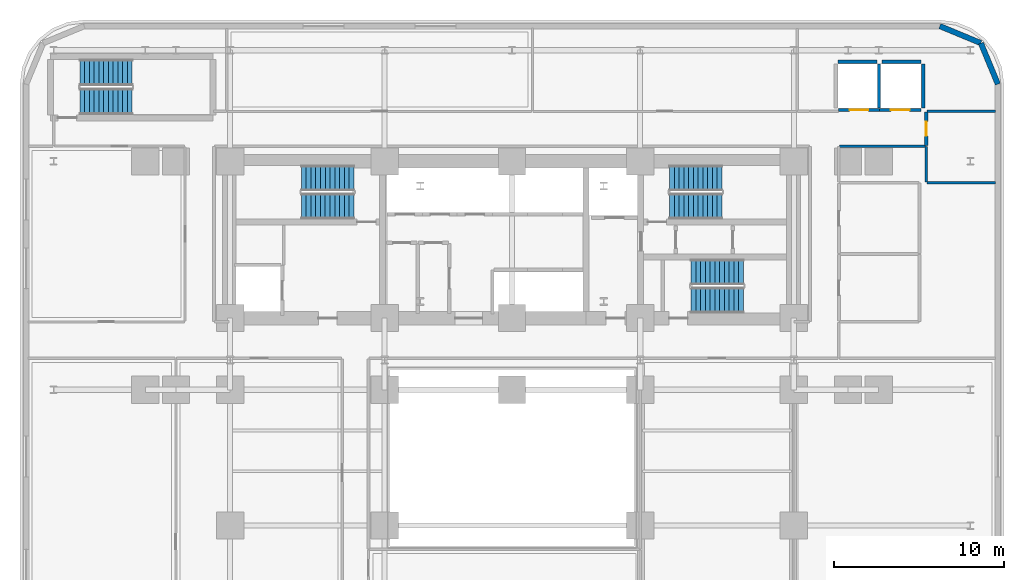
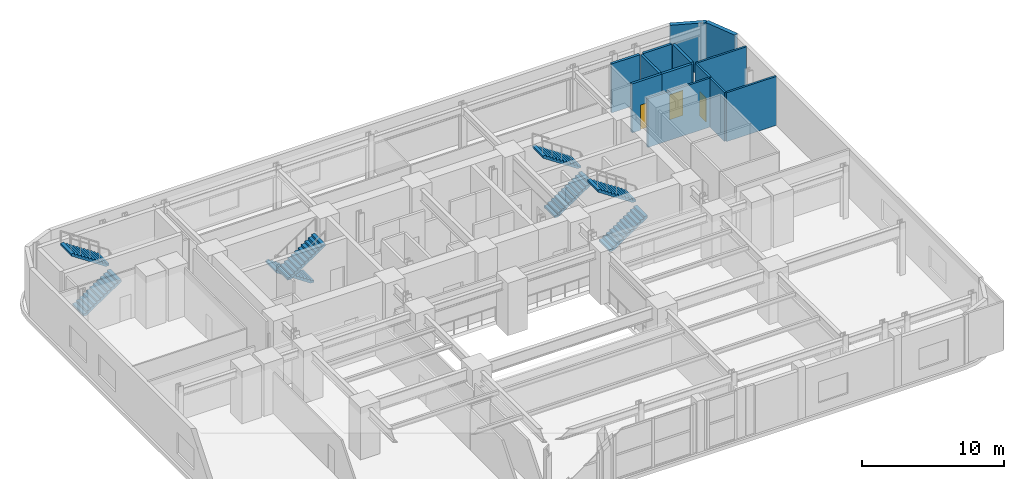
# One storey, part 9 of 14: 13 walls, 8 stair flights, 3 doors, 3 openings, 4 elements without a shape of their own.
"""IFC4 building model written with IfcOpenShell, lengths in metres."""

import ifcopenshell
import ifcopenshell.guid

model = None  # the IFC model being written
_history = None  # IfcOwnerHistory: only IFC2X3 demands one
_inside = {}  # id of a spatial element -> (the spatial element, [elements in it])
_under = {}  # id of a project, library or spatial element -> (it, [spatial elements below it])
_declared = {}  # id of a project -> (the project, [libraries it declares])
_typed = {}  # id of a type object -> (the type object, [elements of that type])
_made_of = {}  # id of a material, layer set ... -> (it, [elements and type objects made of it])


def new_model(schema):
    """Start an empty IFC model of exactly this schema.

    Asked for "IFC4X3", IfcOpenShell would pick the latest addendum, in which some entities
    have other attributes; the version numbers below select the first issue.
    IFC2X3 requires an IfcOwnerHistory on every rooted entity: one is made here for all.
    """
    global model, _history
    if schema == "IFC4X3":
        model = ifcopenshell.file(schema_version=(4, 3, 0, 0))
    else:
        model = ifcopenshell.file(schema=schema)
    _inside.clear()
    _under.clear()
    _declared.clear()
    _typed.clear()
    _made_of.clear()
    _history = None
    if model.schema == "IFC2X3":
        org = make("IfcOrganization", Name="unknown")
        user = make(
            "IfcPersonAndOrganization",
            ThePerson=make("IfcPerson", FamilyName="unknown"),
            TheOrganization=org,
        )
        app = make(
            "IfcApplication",
            ApplicationDeveloper=org,
            Version="unknown",
            ApplicationFullName="unknown",
            ApplicationIdentifier="unknown",
        )
        _history = make(
            "IfcOwnerHistory",
            OwningUser=user,
            OwningApplication=app,
            ChangeAction="ADDED",
            CreationDate=0,
        )
    return model


def make(cls, **values):
    """One entity of the class cls with the attributes given. An attribute that is None is left unset."""
    return model.create_entity(
        cls, **{name: value for name, value in values.items() if value is not None}
    )


def rooted(cls, **values):
    """An entity with a GlobalId (a new one), such as an element, a storey or a relation."""
    return make(cls, GlobalId=ifcopenshell.guid.new(), OwnerHistory=_history, **values)


def si_unit(unit_type, name, prefix=None):
    """IfcSIUnit, for example si_unit("LENGTHUNIT", "METRE", prefix="MILLI")."""
    return make("IfcSIUnit", UnitType=unit_type, Prefix=prefix, Name=name)


def assignment(units):
    """IfcUnitAssignment: the units of a project."""
    return None if units is None else make("IfcUnitAssignment", Units=units)


def point(xyz):
    """IfcCartesianPoint."""
    return None if xyz is None else make("IfcCartesianPoint", Coordinates=xyz)


def direction(xyz):
    """IfcDirection."""
    return None if xyz is None else make("IfcDirection", DirectionRatios=xyz)


def frame(location, z_axis=None, x_axis=None):
    """IfcAxis2Placement3D, a coordinate frame: its origin and axes. An axis left out is left unset."""
    return make(
        "IfcAxis2Placement3D",
        Location=point(location),
        Axis=direction(z_axis),
        RefDirection=direction(x_axis),
    )


def frame_2d(location, x_axis=None):
    """IfcAxis2Placement2D, a coordinate frame in the plane: its origin and x axis."""
    return make(
        "IfcAxis2Placement2D", Location=point(location), RefDirection=direction(x_axis)
    )


def origin():
    """The frame at (0, 0, 0) with its axes left unset."""
    return frame((0.0, 0.0, 0.0))


def place(relative_to, where):
    """IfcLocalPlacement: puts the frame where relative to a parent placement (None: the world)."""
    return make(
        "IfcLocalPlacement", PlacementRelTo=relative_to, RelativePlacement=where
    )


def context(
    kind, dimensions, precision=None, world=None, true_north=None, identifier=None
):
    """IfcGeometricRepresentationContext, for example the 3D "Model" context."""
    return make(
        "IfcGeometricRepresentationContext",
        ContextIdentifier=identifier,
        ContextType=kind,
        CoordinateSpaceDimension=dimensions,
        Precision=precision,
        WorldCoordinateSystem=world,
        TrueNorth=true_north,
    )


def subcontext(parent, identifier, kind, view, scale=None):
    """IfcGeometricRepresentationSubContext, for example "Body" below "Model"."""
    return make(
        "IfcGeometricRepresentationSubContext",
        ContextIdentifier=identifier,
        ContextType=kind,
        ParentContext=parent,
        TargetScale=scale,
        TargetView=view,
    )


def project(units=None, contexts=None):
    """IfcProject with its units and contexts."""
    return rooted(
        "IfcProject",
        Name="project",
        RepresentationContexts=contexts,
        UnitsInContext=assignment(units),
    )


def spatial(cls, under=None, at=None, **own):
    """A site, building, storey or space (cls), placed at a placement, below another one or the project."""
    s = rooted(cls, ObjectPlacement=at, **own)
    if under is not None:
        _under.setdefault(under.id(), (under, []))[1].append(s)
    return s


def polyline(points):
    """IfcPolyline through the points."""
    return make("IfcPolyline", Points=[point(p) for p in points])


def profile(cls, at=None, kind="AREA", **sizes):
    """A parametric profile (cls). Its sizes go by their IFC names, for example OverallWidth=200.0."""
    return make(cls, ProfileType=kind, Position=at, **sizes)


def rectangle(**sizes):
    """IfcRectangleProfileDef."""
    return profile("IfcRectangleProfileDef", **sizes)


def outline(outer, holes=None, kind="AREA"):
    """IfcArbitraryClosedProfileDef: a profile drawn as a closed curve; with holes, ...WithVoids."""
    if holes is None:
        return make("IfcArbitraryClosedProfileDef", ProfileType=kind, OuterCurve=outer)
    return make(
        "IfcArbitraryProfileDefWithVoids",
        ProfileType=kind,
        OuterCurve=outer,
        InnerCurves=holes,
    )


def extrude(swept, where, along, depth):
    """IfcExtrudedAreaSolid: the profile swept, set in the frame where, extruded along a direction by depth."""
    return make(
        "IfcExtrudedAreaSolid",
        SweptArea=swept,
        Position=where,
        ExtrudedDirection=direction(along),
        Depth=depth,
    )


def shape(context_of_items, identifier, shape_type, items):
    """IfcShapeRepresentation: the items that make up one representation, for example the "Body"."""
    return make(
        "IfcShapeRepresentation",
        ContextOfItems=context_of_items,
        RepresentationIdentifier=identifier,
        RepresentationType=shape_type,
        Items=items,
    )


def material(Name=None, Category=None):
    """IfcMaterial."""
    return make("IfcMaterial", Name=Name, Category=Category)


def layer(
    of_material, thickness, ventilated=None, Name=None, Category=None, Priority=None
):
    """IfcMaterialLayer: one layer of a wall or slab, of a material (None: an air gap)."""
    return make(
        "IfcMaterialLayer",
        Material=of_material,
        LayerThickness=thickness,
        IsVentilated=ventilated,
        Name=Name,
        Category=Category,
        Priority=Priority,
    )


def layer_set(layers, Name=None):
    """IfcMaterialLayerSet."""
    return make("IfcMaterialLayerSet", MaterialLayers=layers, LayerSetName=Name)


def made_of(thing, what):
    """Note that an element or type object is made of a material, layer set ...; save() writes the relation."""
    if what is not None:
        _made_of.setdefault(what.id(), (what, []))[1].append(thing)
    return thing


def type_object(cls, material=None, **own):
    """A type object (cls), such as IfcWallType, which elements share."""
    return made_of(rooted(cls, **own), material)


def element(
    cls,
    number,
    at=None,
    inside=None,
    cuts=None,
    type_object=None,
    material=None,
    context=None,
    identifier="Body",
    shape_type=None,
    held_by="IfcProductDefinitionShape",
    body=None,
    shapes=None,
    **own,
):
    """One element of the class cls, such as IfcWall. Its Tag is "e" and its number.

    at: its placement. inside: the storey or other place that contains it. cuts: it is an
    opening in that element (IfcRelVoidsElement). A single representation is given by context,
    identifier, shape_type and body (its items); several are given by shapes. held_by: the class
    of the entity that holds the representations. save() writes the other relations.
    """
    e = rooted(cls, Tag="e%d" % number, ObjectPlacement=at, **own)
    if body is not None:
        shapes = [shape(context, identifier, shape_type, body)]
    if shapes is not None:
        e.Representation = make(held_by, Representations=shapes)
    if inside is not None:
        _inside.setdefault(inside.id(), (inside, []))[1].append(e)
    if cuts is not None:
        rooted(
            "IfcRelVoidsElement", RelatingBuildingElement=cuts, RelatedOpeningElement=e
        )
    if type_object is not None:
        _typed.setdefault(type_object.id(), (type_object, []))[1].append(e)
    return made_of(e, material)


def fill(opening, filler):
    """IfcRelFillsElement: the door or window that sits in an opening."""
    return rooted(
        "IfcRelFillsElement",
        RelatingOpeningElement=opening,
        RelatedBuildingElement=filler,
    )


def aggregate(whole, parts):
    """IfcRelAggregates: a whole, such as a stair, and the parts it consists of."""
    return rooted("IfcRelAggregates", RelatingObject=whole, RelatedObjects=parts)


def save(model, path):
    """Write the relations noted so far, then the file.

    IfcRelAggregates (storeys below a building ...), IfcRelContainedInSpatialStructure (elements
    in a storey), IfcRelDefinesByType, IfcRelAssociatesMaterial and IfcRelDeclares: one each for
    every whole, place, type object, material and project.
    """
    for whole, parts in _under.values():
        aggregate(whole, parts)
    for where, things in _inside.values():
        rooted(
            "IfcRelContainedInSpatialStructure",
            RelatedElements=things,
            RelatingStructure=where,
        )
    for kind, things in _typed.values():
        rooted("IfcRelDefinesByType", RelatedObjects=things, RelatingType=kind)
    for what, things in _made_of.values():
        rooted("IfcRelAssociatesMaterial", RelatedObjects=things, RelatingMaterial=what)
    for by, libraries in _declared.values():
        rooted("IfcRelDeclares", RelatingContext=by, RelatedDefinitions=libraries)
    model.write(path)


model = new_model("IFC4")

# Units and contexts
model_context = context("Model", 3, precision=1e-05, world=origin(), true_north=direction((0.0, 1.0)))
body_context = subcontext(model_context, "Body", "Model", "MODEL_VIEW")
ifc_project = project(units=[si_unit("LENGTHUNIT", "METRE"), si_unit("AREAUNIT", "SQUARE_METRE"), si_unit("VOLUMEUNIT", "CUBIC_METRE"), si_unit("PLANEANGLEUNIT", "RADIAN"), si_unit("MASSUNIT", "GRAM", prefix="KILO")], contexts=[model_context])

# Site, building, storey
site_placement = place(None, origin())
site = spatial("IfcSite", under=ifc_project, at=site_placement, CompositionType="ELEMENT")
building_placement = place(site_placement, origin())
building = spatial("IfcBuilding", under=site, at=building_placement, Name="Zarnavel Station Tower", CompositionType="ELEMENT")
storey_placement = place(building_placement, frame((0.0, 0.0, 10.39990234375)))
storey = spatial("IfcBuildingStorey", under=building, at=storey_placement, Name="L03", CompositionType="ELEMENT", Elevation=10.39990234375)

# Walls
ifc_material_1 = material(Name="Precast concrete C45/55 (Podium Basalt Frame)", Category="masonry")
ifc_layer_1 = layer(ifc_material_1, 0.320068359375)
ifc_layer_set_1 = layer_set([ifc_layer_1], Name="EW_BASALT_320")
wall_type_1 = type_object("IfcWallType", Name="EW_BASALT_320", PredefinedType="SOLIDWALL", material=ifc_layer_set_1)
for number, where, z_axis, x_axis, name in (
    (1, (56.418212890625, 44.018310546875, 0.0), (0.0, 0.0, 1.0), (0.382700522567, -0.923872453333, 0.0), "L03 Exterior Basalt Masonry Frame Wall 04"),
    (2, (54.0, 45.02001953125, 0.0), (0.0, 0.0, 1.0), (0.923872453333, -0.382700522567, 0.0), "L03 Exterior Basalt Masonry Frame Wall 05"),
):
    element("IfcWall", number, at=place(storey_placement, frame(where, z_axis=z_axis, x_axis=x_axis)), inside=storey, type_object=wall_type_1, Name=name, PredefinedType="SOLIDWALL", context=body_context, shape_type="SweptSolid", body=[
        extrude(rectangle(XDim=2.617431640625, YDim=0.320068359375, at=frame_2d((1.30859375, 0.0))), origin(), (0.0, 0.0, 1.0), 4.2001953125),
    ])
ifc_material_2 = material(Name="Gypsum Twin-Stud Acoustic Fire Partition", Category="concrete")
ifc_layer_2 = layer(ifc_material_2, 0.159912109375)
ifc_layer_set_2 = layer_set([ifc_layer_2], Name="PT_DEMISE_160")
wall_type_2 = type_object("IfcWallType", Name="PT_DEMISE_160", PredefinedType="PARTITIONING", material=ifc_layer_set_2)
wall_1_placement = place(storey_placement, frame((48.080078125, 37.949951171875, 0.0), z_axis=(0.0, 0.0, 1.0), x_axis=(1.0, 0.0, 0.0)))
element("IfcWall", 3, at=wall_1_placement, inside=storey, type_object=wall_type_2, Name="L03 Enclosure Wall PLLOB", PredefinedType="PARTITIONING", context=body_context, shape_type="SweptSolid", body=[
    extrude(rectangle(XDim=5.08984375, YDim=0.159912109375, at=frame_2d((2.544921875, 0.0))), origin(), (0.0, 0.0, 1.0), 4.2001953125),
])
for number, where, z_axis, x_axis, name in (
    (4, (53.22998046875, 35.800048828125, 0.0), (0.0, 0.0, 1.0), (1.0, 0.0, 0.0), "L03 Enclosure Wall PWC-A"),
    (5, (53.22998046875, 40.0, 0.0), (0.0, 0.0, 1.0), (1.0, 0.0, 0.0), "L03 Enclosure Wall PWC-A"),
):
    element("IfcWall", number, at=place(storey_placement, frame(where, z_axis=z_axis, x_axis=x_axis)), inside=storey, type_object=wall_type_2, Name=name, PredefinedType="PARTITIONING", context=body_context, shape_type="SweptSolid", body=[
        extrude(rectangle(XDim=4.06005859375, YDim=0.159912109375, at=frame_2d((2.030029296875, 0.0))), origin(), (0.0, 0.0, 1.0), 4.2001953125),
    ])
wall_2_placement = place(storey_placement, frame((53.199951171875, 35.830078125, 0.0), z_axis=(0.0, 0.0, 1.0), x_axis=(0.0, 1.0, 0.0)))
element("IfcWall", 6, at=wall_2_placement, inside=storey, type_object=wall_type_2, Name="L03 Enclosure Wall PWC-A", PredefinedType="PARTITIONING", context=body_context, shape_type="SweptSolid", body=[
    extrude(rectangle(XDim=2.08984375, YDim=0.159912109375, at=frame_2d((1.044921875, 0.0))), origin(), (0.0, 0.0, 1.0), 4.2001953125),
])

# Wall, opening, door
ifc_material_3 = material(Name="Precast concrete C45/55 (Fire Shaft Blockwork)", Category="masonry")
ifc_layer_3 = layer(ifc_material_3, 0.199951171875)
ifc_layer_set_3 = layer_set([ifc_layer_3], Name="PT_SHAFT_200")
wall_type_3 = type_object("IfcWallType", Name="PT_SHAFT_200", PredefinedType="PARTITIONING", material=ifc_layer_set_3)
wall_3_placement = place(storey_placement, frame((48.02001953125, 40.080078125, 0.0), z_axis=(0.0, 0.0, 1.0), x_axis=(1.0, 0.0, 0.0)))
wall_3 = element("IfcWall", 7, at=wall_3_placement, inside=storey, type_object=wall_type_3, Name="L03 Lift PL-P1 Shaft Front Wall", PredefinedType="PARTITIONING", context=body_context, shape_type="SweptSolid", body=[
    extrude(rectangle(XDim=2.429931640625, YDim=0.199951171875, at=frame_2d((1.21484375, 0.0))), origin(), (0.0, 0.0, 1.0), 4.2001953125),
])
opening_1_placement = place(wall_3_placement, frame((0.6650390625, 0.0, 0.0)))
opening_1 = element("IfcOpeningElement", 8, at=opening_1_placement, cuts=wall_3, Name="Opening LD02", PredefinedType="OPENING", context=body_context, shape_type="SweptSolid", body=[
    extrude(rectangle(XDim=1.10009765625, YDim=2.14990234375, at=frame_2d((0.550048828125, 1.074951171875))), frame((0.0, 0.10986328125, 0.0), z_axis=(0.0, -1.0, 0.0), x_axis=(1.0, 0.0, 0.0)), (0.0, 0.0, 1.0), 0.219970703125),
])
ifc_material_4 = material(Name="Painted Galvanised Steel and Hardwood Leaf", Category="steel")
door_type_1 = type_object("IfcDoorType", Name="LD_PAX_1100", OperationType="DOUBLE_DOOR_SLIDING", PredefinedType="DOOR", material=ifc_material_4)
door_1_placement = place(opening_1_placement, origin())
door_1 = element("IfcDoor", 9, at=door_1_placement, inside=storey, type_object=door_type_1, Name="L03 Lift PL-P1 Sliding Landing Door", OperationType="DOUBLE_DOOR_SLIDING", OverallHeight=2.14990234375, OverallWidth=1.10009765625, PredefinedType="DOOR", context=body_context, shape_type="SweptSolid", body=[
    extrude(rectangle(XDim=1.10009765625, YDim=2.14990234375, at=frame_2d((0.550048828125, 1.074951171875))), frame((0.0, 0.02490234375, 0.0), z_axis=(0.0, -1.0, 0.0), x_axis=(1.0, 0.0, 0.0)), (0.0, 0.0, 1.0), 0.050048828125),
])
fill(opening_1, door_1)

# Walls
wall_4_placement = place(storey_placement, frame((48.0, 42.919921875, 0.0), z_axis=(0.0, 0.0, 1.0), x_axis=(1.0, 0.0, 0.0)))
element("IfcWall", 10, at=wall_4_placement, inside=storey, type_object=wall_type_3, Name="L03 Lift PL-P1 Shaft Wall N", PredefinedType="PARTITIONING", context=body_context, shape_type="SweptSolid", body=[
    extrude(rectangle(XDim=2.300048828125, YDim=0.199951171875, at=frame_2d((1.14990234375, 0.0))), origin(), (0.0, 0.0, 1.0), 4.2001953125),
])
wall_5_placement = place(storey_placement, frame((50.419921875, 40.199951171875, 0.0), z_axis=(0.0, 0.0, 1.0), x_axis=(0.0, 1.0, 0.0)))
element("IfcWall", 11, at=wall_5_placement, inside=storey, type_object=wall_type_3, Name="L03 Lift PL-P1 Shaft Wall E", PredefinedType="PARTITIONING", context=body_context, shape_type="SweptSolid", body=[
    extrude(rectangle(XDim=2.60009765625, YDim=0.199951171875, at=frame_2d((1.300048828125, 0.0))), origin(), (0.0, 0.0, 1.0), 4.2001953125),
])

# Wall, opening, door
wall_6_placement = place(storey_placement, frame((50.449951171875, 40.080078125, 0.0), z_axis=(0.0, 0.0, 1.0), x_axis=(1.0, 0.0, 0.0)))
wall_6 = element("IfcWall", 12, at=wall_6_placement, inside=storey, type_object=wall_type_3, Name="L03 Lift PL-P2 Shaft Front Wall", PredefinedType="PARTITIONING", context=body_context, shape_type="SweptSolid", body=[
    extrude(rectangle(XDim=2.429931640625, YDim=0.199951171875, at=frame_2d((1.21484375, 0.0))), origin(), (0.0, 0.0, 1.0), 4.2001953125),
])
opening_2_placement = place(wall_6_placement, frame((0.6650390625, 0.0, 0.0)))
opening_2 = element("IfcOpeningElement", 13, at=opening_2_placement, cuts=wall_6, Name="Opening LD02", PredefinedType="OPENING", context=body_context, shape_type="SweptSolid", body=[
    extrude(rectangle(XDim=1.10009765625, YDim=2.14990234375, at=frame_2d((0.550048828125, 1.074951171875))), frame((0.0, 0.10986328125, 0.0), z_axis=(0.0, -1.0, 0.0), x_axis=(1.0, 0.0, 0.0)), (0.0, 0.0, 1.0), 0.219970703125),
])
door_2_placement = place(opening_2_placement, origin())
door_2 = element("IfcDoor", 14, at=door_2_placement, inside=storey, type_object=door_type_1, Name="L03 Lift PL-P2 Sliding Landing Door", OperationType="DOUBLE_DOOR_SLIDING", OverallHeight=2.14990234375, OverallWidth=1.10009765625, PredefinedType="DOOR", context=body_context, shape_type="SweptSolid", body=[
    extrude(rectangle(XDim=1.10009765625, YDim=2.14990234375, at=frame_2d((0.550048828125, 1.074951171875))), frame((0.0, 0.02490234375, 0.0), z_axis=(0.0, -1.0, 0.0), x_axis=(1.0, 0.0, 0.0)), (0.0, 0.0, 1.0), 0.050048828125),
])
fill(opening_2, door_2)

# Walls
wall_7_placement = place(storey_placement, frame((50.60009765625, 42.919921875, 0.0), z_axis=(0.0, 0.0, 1.0), x_axis=(1.0, 0.0, 0.0)))
element("IfcWall", 15, at=wall_7_placement, inside=storey, type_object=wall_type_3, Name="L03 Lift PL-P2 Shaft Wall N", PredefinedType="PARTITIONING", context=body_context, shape_type="SweptSolid", body=[
    extrude(rectangle(XDim=2.2998046875, YDim=0.199951171875, at=frame_2d((1.14990234375, 0.0))), origin(), (0.0, 0.0, 1.0), 4.2001953125),
])
wall_8_placement = place(storey_placement, frame((53.02001953125, 40.199951171875, 0.0), z_axis=(0.0, 0.0, 1.0), x_axis=(0.0, 1.0, 0.0)))
element("IfcWall", 16, at=wall_8_placement, inside=storey, type_object=wall_type_3, Name="L03 Lift PL-P2 Shaft Wall E", PredefinedType="PARTITIONING", context=body_context, shape_type="SweptSolid", body=[
    extrude(rectangle(XDim=2.60009765625, YDim=0.199951171875, at=frame_2d((1.300048828125, 0.0))), origin(), (0.0, 0.0, 1.0), 4.2001953125),
])

# Wall, opening, door
ifc_material_5 = material(Name="Moisture-Resistant Plumbing Chase Wall", Category="concrete")
ifc_layer_4 = layer(ifc_material_5, 0.179931640625)
ifc_layer_set_4 = layer_set([ifc_layer_4], Name="PW_PLUMB_180")
wall_type_4 = type_object("IfcWallType", Name="PW_PLUMB_180", PredefinedType="PLUMBINGWALL", material=ifc_layer_set_4)
wall_9_placement = place(storey_placement, frame((53.199951171875, 37.989990234375, 0.0), z_axis=(0.0, 0.0, 1.0), x_axis=(0.0, 1.0, 0.0)))
wall_9 = element("IfcWall", 17, at=wall_9_placement, inside=storey, type_object=wall_type_4, Name="L03 Partition PLLOB-PWC-A", PredefinedType="PLUMBINGWALL", context=body_context, shape_type="SweptSolid", body=[
    extrude(rectangle(XDim=1.969970703125, YDim=0.179931640625, at=frame_2d((0.98486328125, 0.0))), origin(), (0.0, 0.0, 1.0), 4.2001953125),
])
opening_3_placement = place(wall_9_placement, frame((0.56005859375, 0.0, 0.0)))
opening_3 = element("IfcOpeningElement", 18, at=opening_3_placement, cuts=wall_9, Name="Opening ID02", PredefinedType="OPENING", context=body_context, shape_type="SweptSolid", body=[
    extrude(rectangle(XDim=0.85009765625, YDim=2.10009765625, at=frame_2d((0.425048828125, 1.050048828125))), frame((0.0, 0.099853515625, 0.0), z_axis=(0.0, -1.0, 0.0), x_axis=(1.0, 0.0, 0.0)), (0.0, 0.0, 1.0), 0.199951171875),
])
ifc_material_6 = material(Name="Painted Galvanised Steel and Hardwood Leaf", Category="steel")
door_type_2 = type_object("IfcDoorType", Name="ID_BATH_850", OperationType="NOTDEFINED", PredefinedType="DOOR", material=ifc_material_6)
door_3_placement = place(opening_3_placement, origin())
door_3 = element("IfcDoor", 19, at=door_3_placement, inside=storey, type_object=door_type_2, Name="L03 Door PLLOB-PWC-A", OperationType="SINGLE_SWING_RIGHT", OverallHeight=2.10009765625, OverallWidth=0.85009765625, PredefinedType="DOOR", context=body_context, shape_type="SweptSolid", body=[
    extrude(rectangle(XDim=0.85009765625, YDim=2.10009765625, at=frame_2d((0.425048828125, 1.050048828125))), frame((0.0, 0.02490234375, 0.0), z_axis=(0.0, -1.0, 0.0), x_axis=(1.0, 0.0, 0.0)), (0.0, 0.0, 1.0), 0.050048828125),
])
fill(opening_3, door_3)

# Stair, stair flights
ifc_material_7 = material(Name="Concrete C45/55", Category="concrete")
stair_type_1 = type_object("IfcStairType", Name="ST_CORE_150", PredefinedType="HALF_TURN_STAIR", material=ifc_material_7)
stair_1_placement = place(storey_placement, origin())
stair_1 = element("IfcStair", 20, at=stair_1_placement, inside=storey, type_object=stair_type_1, Name="L03 Core Exit Stair ST1", PredefinedType="HALF_TURN_STAIR")
ifc_material_8 = material(Name="Concrete C45/55", Category="concrete")
ifc_layer_5 = layer(ifc_material_8, 0.179931640625)
ifc_layer_set_5 = layer_set([ifc_layer_5], Name="ST_CORE_150_FLT")
stair_flight_type_1 = type_object("IfcStairFlightType", Name="ST_CORE_150_FLT", PredefinedType="STRAIGHT", material=ifc_layer_set_5)
stair_flight_1_placement = place(storey_placement, frame((19.47998046875, 36.070068359375, 0.0), z_axis=(0.0, 0.0, 1.0), x_axis=(-1.0, 0.0, 0.0)))
stair_flight_1 = element("IfcStairFlight", 21, at=stair_flight_1_placement, type_object=stair_flight_type_1, Name="ST1 flight 1", NumberOfRisers=12, NumberOfTreads=11, PredefinedType="STRAIGHT", RiserHeight=0.1875, TreadLength=0.28, context=body_context, shape_type="SweptSolid", body=[
    extrude(outline(polyline([(0.0, 0.0), (0.0, 0.1875), (0.280029296875, 0.1875), (0.280029296875, 0.375), (0.56005859375, 0.375), (0.56005859375, 0.5625), (0.840087890625, 0.5625), (0.840087890625, 0.75), (1.1201171875, 0.75), (1.1201171875, 0.9375), (1.39990234375, 0.9375), (1.39990234375, 1.125), (1.679931640625, 1.125), (1.679931640625, 1.3125), (1.9599609375, 1.3125), (1.9599609375, 1.5), (2.239990234375, 1.5), (2.239990234375, 1.6875), (2.52001953125, 1.6875), (2.52001953125, 1.875), (2.800048828125, 1.875), (2.800048828125, 2.0625), (3.080078125, 2.0625), (3.080078125, 2.25), (3.080078125, 1.882080078125), (0.26953125, 0.0), (0.0, 0.0)])), frame((0.0, 0.75, 0.0), z_axis=(0.0, -1.0, 0.0), x_axis=(1.0, 0.0, 0.0)), (0.0, 0.0, 1.0), 1.5),
])
stair_flight_2_placement = place(storey_placement, frame((16.39990234375, 34.409912109375, 2.25), z_axis=(0.0, 0.0, 1.0), x_axis=(1.0, 0.0, 0.0)))
stair_flight_2 = element("IfcStairFlight", 22, at=stair_flight_2_placement, type_object=stair_flight_type_1, Name="ST1 flight 2", NumberOfRisers=12, NumberOfTreads=11, PredefinedType="STRAIGHT", RiserHeight=0.1875, TreadLength=0.28, context=body_context, shape_type="SweptSolid", body=[
    extrude(outline(polyline([(0.0, 0.0), (0.0, 0.1875), (0.280029296875, 0.1875), (0.280029296875, 0.375), (0.56005859375, 0.375), (0.56005859375, 0.5625), (0.840087890625, 0.5625), (0.840087890625, 0.75), (1.1201171875, 0.75), (1.1201171875, 0.9375), (1.39990234375, 0.9375), (1.39990234375, 1.125), (1.679931640625, 1.125), (1.679931640625, 1.3125), (1.9599609375, 1.3125), (1.9599609375, 1.5), (2.239990234375, 1.5), (2.239990234375, 1.6875), (2.52001953125, 1.6875), (2.52001953125, 1.875), (2.800048828125, 1.875), (2.800048828125, 2.0625), (3.080078125, 2.0625), (3.080078125, 2.25), (3.080078125, 1.882080078125), (0.26953125, 0.0), (0.0, 0.0)])), frame((0.0, 0.75, 0.0), z_axis=(0.0, -1.0, 0.0), x_axis=(1.0, 0.0, 0.0)), (0.0, 0.0, 1.0), 1.5),
])
aggregate(stair_1, [stair_flight_1, stair_flight_2])

stair_2_placement = place(storey_placement, origin())
stair_2 = element("IfcStair", 23, at=stair_2_placement, inside=storey, type_object=stair_type_1, Name="L03 Core Exit Stair ST2", PredefinedType="HALF_TURN_STAIR")
stair_flight_3_placement = place(storey_placement, frame((38.080078125, 34.409912109375, 0.0), z_axis=(0.0, 0.0, 1.0), x_axis=(1.0, 0.0, 0.0)))
stair_flight_3 = element("IfcStairFlight", 24, at=stair_flight_3_placement, type_object=stair_flight_type_1, Name="ST2 flight 1", NumberOfRisers=12, NumberOfTreads=11, PredefinedType="STRAIGHT", RiserHeight=0.1875, TreadLength=0.28, context=body_context, shape_type="SweptSolid", body=[
    extrude(outline(polyline([(0.0, 0.0), (0.0, 0.1875), (0.280029296875, 0.1875), (0.280029296875, 0.375), (0.56005859375, 0.375), (0.56005859375, 0.5625), (0.840087890625, 0.5625), (0.840087890625, 0.75), (1.1201171875, 0.75), (1.1201171875, 0.9375), (1.39990234375, 0.9375), (1.39990234375, 1.125), (1.679931640625, 1.125), (1.679931640625, 1.3125), (1.9599609375, 1.3125), (1.9599609375, 1.5), (2.239990234375, 1.5), (2.239990234375, 1.6875), (2.52001953125, 1.6875), (2.52001953125, 1.875), (2.800048828125, 1.875), (2.800048828125, 2.0625), (3.080078125, 2.0625), (3.080078125, 2.25), (3.080078125, 1.882080078125), (0.26953125, 0.0), (0.0, 0.0)])), frame((0.0, 0.75, 0.0), z_axis=(0.0, -1.0, 0.0), x_axis=(1.0, 0.0, 0.0)), (0.0, 0.0, 1.0), 1.5),
])
stair_flight_4_placement = place(storey_placement, frame((41.159912109375, 36.070068359375, 2.25), z_axis=(0.0, 0.0, 1.0), x_axis=(-1.0, 0.0, 0.0)))
stair_flight_4 = element("IfcStairFlight", 25, at=stair_flight_4_placement, type_object=stair_flight_type_1, Name="ST2 flight 2", NumberOfRisers=12, NumberOfTreads=11, PredefinedType="STRAIGHT", RiserHeight=0.1875, TreadLength=0.28, context=body_context, shape_type="SweptSolid", body=[
    extrude(outline(polyline([(0.0, 0.0), (0.0, 0.1875), (0.280029296875, 0.1875), (0.280029296875, 0.375), (0.56005859375, 0.375), (0.56005859375, 0.5625), (0.840087890625, 0.5625), (0.840087890625, 0.75), (1.1201171875, 0.75), (1.1201171875, 0.9375), (1.39990234375, 0.9375), (1.39990234375, 1.125), (1.679931640625, 1.125), (1.679931640625, 1.3125), (1.9599609375, 1.3125), (1.9599609375, 1.5), (2.239990234375, 1.5), (2.239990234375, 1.6875), (2.52001953125, 1.6875), (2.52001953125, 1.875), (2.800048828125, 1.875), (2.800048828125, 2.0625), (3.080078125, 2.0625), (3.080078125, 2.25), (3.080078125, 1.882080078125), (0.26953125, 0.0), (0.0, 0.0)])), frame((0.0, 0.75, 0.0), z_axis=(0.0, -1.0, 0.0), x_axis=(1.0, 0.0, 0.0)), (0.0, 0.0, 1.0), 1.5),
])
aggregate(stair_2, [stair_flight_3, stair_flight_4])

stair_3_placement = place(storey_placement, origin())
stair_3 = element("IfcStair", 26, at=stair_3_placement, inside=storey, type_object=stair_type_1, Name="L03 Core Exit Stair ST3", PredefinedType="HALF_TURN_STAIR")
stair_flight_5_placement = place(storey_placement, frame((39.35009765625, 28.8701171875, 0.0), z_axis=(0.0, 0.0, 1.0), x_axis=(1.0, 0.0, 0.0)))
stair_flight_5 = element("IfcStairFlight", 27, at=stair_flight_5_placement, type_object=stair_flight_type_1, Name="ST3 flight 1", NumberOfRisers=12, NumberOfTreads=11, PredefinedType="STRAIGHT", RiserHeight=0.1875, TreadLength=0.28, context=body_context, shape_type="SweptSolid", body=[
    extrude(outline(polyline([(0.0, 0.0), (0.0, 0.1875), (0.280029296875, 0.1875), (0.280029296875, 0.375), (0.56005859375, 0.375), (0.56005859375, 0.5625), (0.840087890625, 0.5625), (0.840087890625, 0.75), (1.1201171875, 0.75), (1.1201171875, 0.9375), (1.39990234375, 0.9375), (1.39990234375, 1.125), (1.679931640625, 1.125), (1.679931640625, 1.3125), (1.9599609375, 1.3125), (1.9599609375, 1.5), (2.239990234375, 1.5), (2.239990234375, 1.6875), (2.52001953125, 1.6875), (2.52001953125, 1.875), (2.800048828125, 1.875), (2.800048828125, 2.0625), (3.080078125, 2.0625), (3.080078125, 2.25), (3.080078125, 1.882080078125), (0.26953125, 0.0), (0.0, 0.0)])), frame((0.0, 0.75, 0.0), z_axis=(0.0, -1.0, 0.0), x_axis=(1.0, 0.0, 0.0)), (0.0, 0.0, 1.0), 1.5),
])
stair_flight_6_placement = place(storey_placement, frame((42.429931640625, 30.530029296875, 2.25), z_axis=(0.0, 0.0, 1.0), x_axis=(-1.0, 0.0, 0.0)))
stair_flight_6 = element("IfcStairFlight", 28, at=stair_flight_6_placement, type_object=stair_flight_type_1, Name="ST3 flight 2", NumberOfRisers=12, NumberOfTreads=11, PredefinedType="STRAIGHT", RiserHeight=0.1875, TreadLength=0.28, context=body_context, shape_type="SweptSolid", body=[
    extrude(outline(polyline([(0.0, 0.0), (0.0, 0.1875), (0.280029296875, 0.1875), (0.280029296875, 0.375), (0.56005859375, 0.375), (0.56005859375, 0.5625), (0.840087890625, 0.5625), (0.840087890625, 0.75), (1.1201171875, 0.75), (1.1201171875, 0.9375), (1.39990234375, 0.9375), (1.39990234375, 1.125), (1.679931640625, 1.125), (1.679931640625, 1.3125), (1.9599609375, 1.3125), (1.9599609375, 1.5), (2.239990234375, 1.5), (2.239990234375, 1.6875), (2.52001953125, 1.6875), (2.52001953125, 1.875), (2.800048828125, 1.875), (2.800048828125, 2.0625), (3.080078125, 2.0625), (3.080078125, 2.25), (3.080078125, 1.882080078125), (0.26953125, 0.0), (0.0, 0.0)])), frame((0.0, 0.75, 0.0), z_axis=(0.0, -1.0, 0.0), x_axis=(1.0, 0.0, 0.0)), (0.0, 0.0, 1.0), 1.5),
])
aggregate(stair_3, [stair_flight_5, stair_flight_6])

ifc_material_9 = material(Name="Concrete C45/55", Category="concrete")
stair_type_2 = type_object("IfcStairType", Name="ST_POD_155", PredefinedType="HALF_TURN_STAIR", material=ifc_material_9)
stair_4_placement = place(storey_placement, origin())
stair_4 = element("IfcStair", 29, at=stair_4_placement, inside=storey, type_object=stair_type_2, Name="L03 Core Exit Stair ST4", PredefinedType="HALF_TURN_STAIR")
ifc_material_10 = material(Name="Concrete C45/55", Category="concrete")
ifc_layer_6 = layer(ifc_material_10, 0.179931640625)
ifc_layer_set_6 = layer_set([ifc_layer_6], Name="ST_POD_155_FLT")
stair_flight_type_2 = type_object("IfcStairFlightType", Name="ST_POD_155_FLT", PredefinedType="STRAIGHT", material=ifc_layer_set_6)
stair_flight_7_placement = place(storey_placement, frame((3.35009765625, 40.574951171875, 0.0), z_axis=(0.0, 0.0, 1.0), x_axis=(1.0, 0.0, 0.0)))
stair_flight_7 = element("IfcStairFlight", 30, at=stair_flight_7_placement, type_object=stair_flight_type_2, Name="ST4 flight 1", NumberOfRisers=12, NumberOfTreads=11, PredefinedType="STRAIGHT", RiserHeight=0.1875, TreadLength=0.28, context=body_context, shape_type="SweptSolid", body=[
    extrude(outline(polyline([(0.0, 0.0), (0.0, 0.1875), (0.280029296875, 0.1875), (0.280029296875, 0.375), (0.56005859375, 0.375), (0.56005859375, 0.5625), (0.840087890625, 0.5625), (0.840087890625, 0.75), (1.1201171875, 0.75), (1.1201171875, 0.9375), (1.39990234375, 0.9375), (1.39990234375, 1.125), (1.679931640625, 1.125), (1.679931640625, 1.3125), (1.9599609375, 1.3125), (1.9599609375, 1.5), (2.239990234375, 1.5), (2.239990234375, 1.6875), (2.52001953125, 1.6875), (2.52001953125, 1.875), (2.800048828125, 1.875), (2.800048828125, 2.0625), (3.080078125, 2.0625), (3.080078125, 2.25), (3.080078125, 1.882080078125), (0.26953125, 0.0), (0.0, 0.0)])), frame((0.0, 0.77490234375, 0.0), z_axis=(0.0, -1.0, 0.0), x_axis=(1.0, 0.0, 0.0)), (0.0, 0.0, 1.0), 1.550048828125),
])
stair_flight_8_placement = place(storey_placement, frame((6.429931640625, 42.284912109375, 2.25), z_axis=(0.0, 0.0, 1.0), x_axis=(-1.0, 0.0, 0.0)))
stair_flight_8 = element("IfcStairFlight", 31, at=stair_flight_8_placement, type_object=stair_flight_type_2, Name="ST4 flight 2", NumberOfRisers=12, NumberOfTreads=11, PredefinedType="STRAIGHT", RiserHeight=0.1875, TreadLength=0.28, context=body_context, shape_type="SweptSolid", body=[
    extrude(outline(polyline([(0.0, 0.0), (0.0, 0.1875), (0.280029296875, 0.1875), (0.280029296875, 0.375), (0.56005859375, 0.375), (0.56005859375, 0.5625), (0.840087890625, 0.5625), (0.840087890625, 0.75), (1.1201171875, 0.75), (1.1201171875, 0.9375), (1.39990234375, 0.9375), (1.39990234375, 1.125), (1.679931640625, 1.125), (1.679931640625, 1.3125), (1.9599609375, 1.3125), (1.9599609375, 1.5), (2.239990234375, 1.5), (2.239990234375, 1.6875), (2.52001953125, 1.6875), (2.52001953125, 1.875), (2.800048828125, 1.875), (2.800048828125, 2.0625), (3.080078125, 2.0625), (3.080078125, 2.25), (3.080078125, 1.882080078125), (0.26953125, 0.0), (0.0, 0.0)])), frame((0.0, 0.77490234375, 0.0), z_axis=(0.0, -1.0, 0.0), x_axis=(1.0, 0.0, 0.0)), (0.0, 0.0, 1.0), 1.550048828125),
])
aggregate(stair_4, [stair_flight_7, stair_flight_8])

save(model, "model.ifc")
